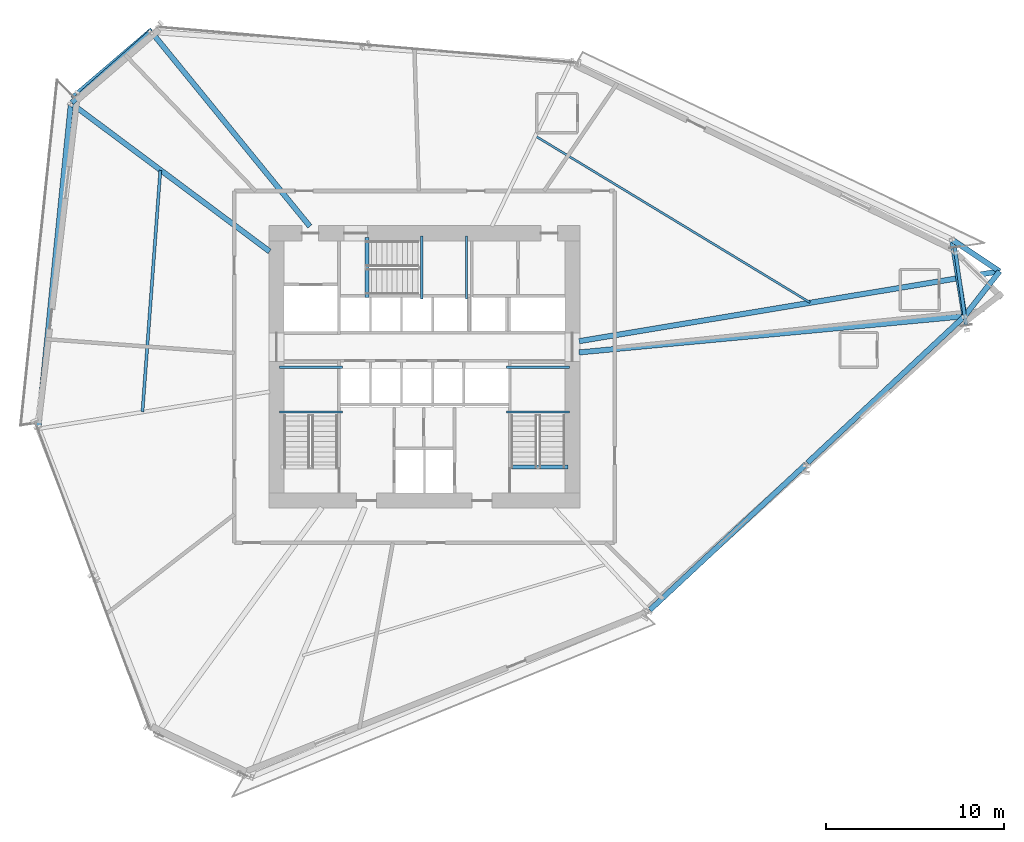
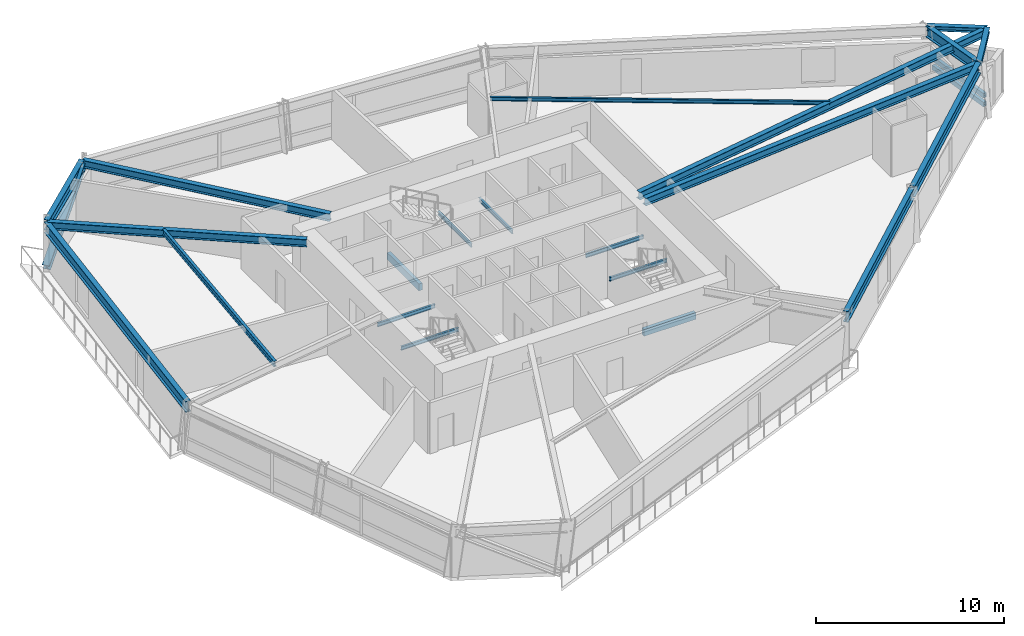
# One storey, part 7 of 21: 21 beams, 3 members.
"""IFC4 building model written with IfcOpenShell, lengths in metres."""

from ifc_helpers import new_model, si_unit, direction, frame, origin, origin_2d, place, context, subcontext, project, spatial, rectangle, hollow_rectangle, i_section, extrude, source, transform, mapped, material, material_profile, profile_set, type_object, element, save


model = new_model("IFC4")

# Units and contexts
model_context = context("Model", 3, precision=1e-05, world=origin(), true_north=direction((0.0, 1.0)))
body_context = subcontext(model_context, "Body", "Model", "MODEL_VIEW")
ifc_project = project(units=[si_unit("LENGTHUNIT", "METRE"), si_unit("AREAUNIT", "SQUARE_METRE"), si_unit("VOLUMEUNIT", "CUBIC_METRE"), si_unit("PLANEANGLEUNIT", "RADIAN"), si_unit("MASSUNIT", "GRAM", prefix="KILO")], contexts=[model_context])

# Site, building, storey
site_placement = place(None, origin())
site = spatial("IfcSite", under=ifc_project, at=site_placement, CompositionType="ELEMENT")
building_placement = place(site_placement, origin())
building = spatial("IfcBuilding", under=site, at=building_placement, Name="Olszyna Solenne Hotel", CompositionType="ELEMENT")
storey_placement = place(building_placement, frame((0.0, 0.0, 68.35009765625)))
storey = spatial("IfcBuildingStorey", under=building, at=storey_placement, Name="L17", CompositionType="ELEMENT", Elevation=68.35009765625)

# Beams
ifc_material_1 = material(Name="Steel S355J2", Category="steel")
ifc_material_profile_1 = material_profile(ifc_material_1, i_section(OverallWidth=0.300048828125, OverallDepth=0.699951171875, WebThickness=0.01708984375, FlangeThickness=0.031982421875, at=origin_2d()), Name="HEB 700", Category="load-bearing")
ifc_profile_set_1 = profile_set([ifc_material_profile_1], Name="Steel S355J2")
beam_type_1 = type_object("IfcBeamType", Name="BM-S1", PredefinedType="BEAM", material=ifc_profile_set_1)
shared_shape_1 = source(origin(), body_context, "Body", "SweptSolid", [
    extrude(i_section(OverallWidth=0.300048828125, OverallDepth=0.699951171875, WebThickness=0.01708984375, FlangeThickness=0.031982421875, at=origin_2d()), origin(), (0.0, 0.0, 1.0), 4.243408203125),
])
beam_1_placement = place(storey_placement, frame((68.381103515625, 29.51416015625, 2.949951171875), z_axis=(-0.159022607152, 0.987274941652, 0.0), x_axis=(-0.987274941652, -0.159022607152, 0.0)))
element("IfcBeam", 1, at=beam_1_placement, inside=storey, type_object=beam_type_1, Name="Perimeter spandrel beam BM-S1 B-L17-0524", PredefinedType="BEAM", context=body_context, shape_type="MappedRepresentation", body=[
    mapped(shared_shape_1, transform((0.0, 0.0, 0.0), x_axis=(1.0, 0.0, 0.0), y_axis=(0.0, 1.0, 0.0), z_axis=(0.0, 0.0, 1.0), scale=1.0)),
])
shared_shape_2 = source(origin(), body_context, "Body", "SweptSolid", [
    extrude(i_section(OverallWidth=0.300048828125, OverallDepth=0.699951171875, WebThickness=0.01708984375, FlangeThickness=0.031982421875, at=origin_2d()), origin(), (0.0, 0.0, 1.0), 5.927490234375),
])
beam_2_placement = place(storey_placement, frame((22.5869140625, 45.41650390625, 2.949951171875), z_axis=(-0.74777279964, -0.663954697339, 0.0), x_axis=(0.663954697339, -0.74777279964, 0.0)))
element("IfcBeam", 2, at=beam_2_placement, inside=storey, type_object=beam_type_1, Name="Perimeter spandrel beam BM-S1 B-L17-0528", PredefinedType="BEAM", context=body_context, shape_type="MappedRepresentation", body=[
    mapped(shared_shape_2, transform((0.0, 0.0, 0.0), x_axis=(1.0, 0.0, 0.0), y_axis=(0.0, 1.0, 0.0), z_axis=(0.0, 0.0, 1.0), scale=1.0)),
])
shared_shape_3 = source(origin(), body_context, "Body", "SweptSolid", [
    extrude(i_section(OverallWidth=0.300048828125, OverallDepth=0.699951171875, WebThickness=0.01708984375, FlangeThickness=0.031982421875, at=origin_2d()), origin(), (0.0, 0.0, 1.0), 18.292724609375),
])
beam_3_placement = place(storey_placement, frame((18.103759765625, 41.381591796875, 2.949951171875), z_axis=(-0.099991313586, -0.994988310086, 0.0), x_axis=(0.994988310086, -0.099991313586, 0.0)))
element("IfcBeam", 3, at=beam_3_placement, inside=storey, type_object=beam_type_1, Name="Perimeter spandrel beam BM-S1 B-L17-0529", PredefinedType="BEAM", context=body_context, shape_type="MappedRepresentation", body=[
    mapped(shared_shape_3, transform((0.0, 0.0, 0.0), x_axis=(1.0, 0.0, 0.0), y_axis=(0.0, 1.0, 0.0), z_axis=(0.0, 0.0, 1.0), scale=1.0)),
])
shared_shape_4 = source(origin(), body_context, "Body", "SweptSolid", [
    extrude(i_section(OverallWidth=0.300048828125, OverallDepth=0.699951171875, WebThickness=0.01708984375, FlangeThickness=0.031982421875, at=origin_2d()), origin(), (0.0, 0.0, 1.0), 12.02197265625),
])
for number, where, z_axis, x_axis, name in (
    (4, (50.68505859375, 12.922607421875, 2.949951171875), (0.730899250241, 0.6824853742, 0.0), (-0.6824853742, 0.730899250241, 0.0), "Perimeter spandrel beam BM-S1 B-L17-0534"),
    (5, (59.559814453125, 21.209228515625, 2.949951171875), (0.730899250241, 0.6824853742, 0.0), (-0.6824853742, 0.730899250241, 0.0), "Perimeter spandrel beam BM-S1 B-L17-0535"),
):
    element("IfcBeam", number, at=place(storey_placement, frame(where, z_axis=z_axis, x_axis=x_axis)), inside=storey, type_object=beam_type_1, Name=name, PredefinedType="BEAM", context=body_context, shape_type="MappedRepresentation", body=[
        mapped(shared_shape_4, transform((0.0, 0.0, 0.0), x_axis=(1.0, 0.0, 0.0), y_axis=(0.0, 1.0, 0.0), z_axis=(0.0, 0.0, 1.0), scale=1.0)),
    ])
ifc_material_profile_2 = material_profile(ifc_material_1, i_section(OverallWidth=0.300048828125, OverallDepth=0.489990234375, WebThickness=0.011962890625, FlangeThickness=0.02294921875, at=origin_2d()), Name="HEA 500", Category="load-bearing")
ifc_profile_set_2 = profile_set([ifc_material_profile_2], Name="Steel S355J2")
beam_type_2 = type_object("IfcBeamType", Name="BM-G1", PredefinedType="BEAM", material=ifc_profile_set_2)
shared_shape_5 = source(origin(), body_context, "Body", "SweptSolid", [
    extrude(i_section(OverallWidth=0.300048828125, OverallDepth=0.489990234375, WebThickness=0.011962890625, FlangeThickness=0.02294921875, at=origin_2d()), origin(), (0.0, 0.0, 1.0), 21.72607421875),
])
beam_4_placement = place(storey_placement, frame((68.3310546875, 29.449462890625, 3.054931640625), z_axis=(-0.995615669946, -0.093538429307, 0.0), x_axis=(0.093538429307, -0.995615669946, 0.0)))
element("IfcBeam", 6, at=beam_4_placement, inside=storey, type_object=beam_type_2, Name="Radial floor girder BM-G1 B-L17-0536", PredefinedType="BEAM", context=body_context, shape_type="MappedRepresentation", body=[
    mapped(shared_shape_5, transform((0.0, 0.0, 0.0), x_axis=(1.0, 0.0, 0.0), y_axis=(0.0, 1.0, 0.0), z_axis=(0.0, 0.0, 1.0), scale=1.0)),
])
shared_shape_6 = source(origin(), body_context, "Body", "SweptSolid", [
    extrude(i_section(OverallWidth=0.300048828125, OverallDepth=0.489990234375, WebThickness=0.011962890625, FlangeThickness=0.02294921875, at=origin_2d()), origin(), (0.0, 0.0, 1.0), 23.967529296875),
])
beam_5_placement = place(storey_placement, frame((70.343994140625, 31.9794921875, 3.054931640625), z_axis=(-0.986472273564, -0.163928196137, 0.0), x_axis=(0.163928196137, -0.986472273564, 0.0)))
element("IfcBeam", 7, at=beam_5_placement, inside=storey, type_object=beam_type_2, Name="Radial floor girder BM-G1 B-L17-0537", PredefinedType="BEAM", context=body_context, shape_type="MappedRepresentation", body=[
    mapped(shared_shape_6, transform((0.0, 0.0, 0.0), x_axis=(1.0, 0.0, 0.0), y_axis=(0.0, 1.0, 0.0), z_axis=(0.0, 0.0, 1.0), scale=1.0)),
])
shared_shape_7 = source(origin(), body_context, "Body", "SweptSolid", [
    extrude(i_section(OverallWidth=0.300048828125, OverallDepth=0.489990234375, WebThickness=0.011962890625, FlangeThickness=0.02294921875, at=origin_2d()), origin(), (0.0, 0.0, 1.0), 14.059814453125),
])
beam_6_placement = place(storey_placement, frame((22.669677734375, 45.409912109375, 3.054931640625), z_axis=(0.631765322463, -0.775159710856, 0.0), x_axis=(0.775159710856, 0.631765322463, 0.0)))
element("IfcBeam", 8, at=beam_6_placement, inside=storey, type_object=beam_type_2, Name="Radial floor girder BM-G1 B-L17-0539", PredefinedType="BEAM", context=body_context, shape_type="MappedRepresentation", body=[
    mapped(shared_shape_7, transform((0.0, 0.0, 0.0), x_axis=(1.0, 0.0, 0.0), y_axis=(0.0, 1.0, 0.0), z_axis=(0.0, 0.0, 1.0), scale=1.0)),
])
shared_shape_8 = source(origin(), body_context, "Body", "SweptSolid", [
    extrude(i_section(OverallWidth=0.300048828125, OverallDepth=0.489990234375, WebThickness=0.011962890625, FlangeThickness=0.02294921875, at=origin_2d()), origin(), (0.0, 0.0, 1.0), 13.8896484375),
])
beam_7_placement = place(storey_placement, frame((18.15771484375, 41.4052734375, 3.054931640625), z_axis=(0.801478254507, -0.59802391888, 0.0), x_axis=(0.59802391888, 0.801478254507, 0.0)))
element("IfcBeam", 9, at=beam_7_placement, inside=storey, type_object=beam_type_2, Name="Radial floor girder BM-G1 B-L17-0540", PredefinedType="BEAM", context=body_context, shape_type="MappedRepresentation", body=[
    mapped(shared_shape_8, transform((0.0, 0.0, 0.0), x_axis=(1.0, 0.0, 0.0), y_axis=(0.0, 1.0, 0.0), z_axis=(0.0, 0.0, 1.0), scale=1.0)),
])
ifc_material_profile_3 = material_profile(ifc_material_1, i_section(OverallWidth=0.300048828125, OverallDepth=0.31005859375, WebThickness=0.009033203125, FlangeThickness=0.015380859375, at=origin_2d()), Name="HEA 320", Category="load-bearing")
ifc_profile_set_3 = profile_set([ifc_material_profile_3], Name="Steel S355J2")
beam_type_3 = type_object("IfcBeamType", Name="BM-G3", PredefinedType="BEAM", material=ifc_profile_set_3)
shared_shape_9 = source(origin(), body_context, "Body", "SweptSolid", [
    extrude(i_section(OverallWidth=0.300048828125, OverallDepth=0.31005859375, WebThickness=0.009033203125, FlangeThickness=0.015380859375, at=origin_2d()), origin(), (0.0, 0.0, 1.0), 3.20654296875),
])
for number, where, z_axis, x_axis, name in (
    (10, (68.390625, 29.455078125, 3.14501953125), (0.615347018641, 0.788256333085, 0.0), (-0.788256333085, 0.615347018641, 0.0), "Prism side edge beam BM-G3 B-L17-0545"),
    (11, (67.69677734375, 33.7626953125, 3.14501953125), (0.831757330832, -0.55513939025, 0.0), (0.55513939025, 0.831757330832, 0.0), "Prism side edge beam BM-G3 B-L17-0546"),
):
    element("IfcBeam", number, at=place(storey_placement, frame(where, z_axis=z_axis, x_axis=x_axis)), inside=storey, type_object=beam_type_3, Name=name, PredefinedType="BEAM", context=body_context, shape_type="MappedRepresentation", body=[
        mapped(shared_shape_9, transform((0.0, 0.0, 0.0), x_axis=(1.0, 0.0, 0.0), y_axis=(0.0, 1.0, 0.0), z_axis=(0.0, 0.0, 1.0), scale=1.0)),
    ])
ifc_material_profile_4 = material_profile(ifc_material_1, i_section(OverallWidth=0.1201171875, OverallDepth=0.239990234375, WebThickness=0.006103515625, FlangeThickness=0.009765625, at=origin_2d()), Name="IPE 240", Category="load-bearing")
ifc_profile_set_4 = profile_set([ifc_material_profile_4], Name="Steel S355J2")
beam_type_4 = type_object("IfcBeamType", Name="JS-03", PredefinedType="JOIST", material=ifc_profile_set_4)
shared_shape_10 = source(origin(), body_context, "Body", "SweptSolid", [
    extrude(i_section(OverallWidth=0.1201171875, OverallDepth=0.239990234375, WebThickness=0.006103515625, FlangeThickness=0.009765625, at=origin_2d()), origin(), (0.0, 0.0, 1.0), 18.0576171875),
])
beam_8_placement = place(storey_placement, frame((59.6982421875, 30.2236328125, 3.179931640625), z_axis=(-0.855007639867, 0.518615402556, 0.0), x_axis=(-0.518615402556, -0.855007639867, 0.0)))
element("IfcBeam", 12, at=beam_8_placement, inside=storey, type_object=beam_type_4, Name="Secondary composite floor joist JS-03 B-L17-0547", PredefinedType="JOIST", context=body_context, shape_type="MappedRepresentation", body=[
    mapped(shared_shape_10, transform((0.0, 0.0, 0.0), x_axis=(1.0, 0.0, 0.0), y_axis=(0.0, 1.0, 0.0), z_axis=(0.0, 0.0, 1.0), scale=1.0)),
])
ifc_material_profile_5 = material_profile(ifc_material_1, i_section(OverallWidth=0.169921875, OverallDepth=0.360107421875, WebThickness=0.008056640625, FlangeThickness=0.0126953125, at=origin_2d()), Name="IPE 360", Category="load-bearing")
ifc_profile_set_5 = profile_set([ifc_material_profile_5], Name="Steel S355J2")
beam_type_5 = type_object("IfcBeamType", Name="JS-01", PredefinedType="JOIST", material=ifc_profile_set_5)
shared_shape_11 = source(origin(), body_context, "Body", "SweptSolid", [
    extrude(i_section(OverallWidth=0.169921875, OverallDepth=0.360107421875, WebThickness=0.008056640625, FlangeThickness=0.0126953125, at=origin_2d()), origin(), (0.0, 0.0, 1.0), 13.624755859375),
])
beam_9_placement = place(storey_placement, frame((23.139404296875, 37.667236328125, 3.119873046875), z_axis=(-0.073789840351, -0.997273813685, 0.0), x_axis=(0.997273813685, -0.073789840351, 0.0)))
element("IfcBeam", 13, at=beam_9_placement, inside=storey, type_object=beam_type_5, Name="Secondary composite floor joist JS-01 B-L17-0548", PredefinedType="JOIST", context=body_context, shape_type="MappedRepresentation", body=[
    mapped(shared_shape_11, transform((0.0, 0.0, 0.0), x_axis=(1.0, 0.0, 0.0), y_axis=(0.0, 1.0, 0.0), z_axis=(0.0, 0.0, 1.0), scale=1.0)),
])

# Members
ifc_material_profile_6 = material_profile(ifc_material_1, hollow_rectangle(XDim=0.199951171875, YDim=0.300048828125, WallThickness=0.01611328125, at=origin_2d()), Name="RHS 300x200x16", Category="load-bearing")
ifc_profile_set_6 = profile_set([ifc_material_profile_6], Name="Steel S355J2")
member_type_1 = type_object("IfcMemberType", Name="CH-PR1", PredefinedType="CHORD", material=ifc_profile_set_6)
shared_shape_12 = source(origin(), body_context, "Body", "SweptSolid", [
    extrude(hollow_rectangle(XDim=0.199951171875, YDim=0.300048828125, WallThickness=0.01611328125, at=origin_2d()), origin(), (0.0, 0.0, 1.0), 4.40185546875),
])
for number, where, z_axis, x_axis, name in (
    (14, (68.478271484375, 28.965087890625, 1.349853515625), (-0.143486544708, 0.989652267965, 0.0), (-0.989652267965, -0.143486544708, 0.0), "Glass-prism tie chord CH-PR1 M-L17-PR1"),
    (15, (68.478271484375, 28.965087890625, 0.77978515625), (-0.143486544708, 0.989652267965, 0.0), (-0.989652267965, -0.143486544708, 0.0), "Glass-prism tie chord CH-PR1 M-L17-PR2"),
):
    element("IfcMember", number, at=place(storey_placement, frame(where, z_axis=z_axis, x_axis=x_axis)), inside=storey, type_object=member_type_1, Name=name, PredefinedType="CHORD", context=body_context, shape_type="MappedRepresentation", body=[
        mapped(shared_shape_12, transform((0.0, 0.0, 0.0), x_axis=(1.0, 0.0, 0.0), y_axis=(0.0, 1.0, 0.0), z_axis=(0.0, 0.0, 1.0), scale=1.0)),
    ])
ifc_material_2 = material(Name="Steel S460M", Category="steel")
ifc_material_profile_7 = material_profile(ifc_material_2, i_section(OverallWidth=0.412109375, OverallDepth=0.43505859375, WebThickness=0.031494140625, FlangeThickness=0.050048828125, at=origin_2d()), Name="HD 400x463", Category="load-bearing")
ifc_profile_set_7 = profile_set([ifc_material_profile_7], Name="Steel S460M")
member_type_2 = type_object("IfcMemberType", Name="BR-T1", PredefinedType="BRACE", material=ifc_profile_set_7)
shared_shape_13 = source(origin(), body_context, "Body", "SweptSolid", [
    extrude(i_section(OverallWidth=0.412109375, OverallDepth=0.43505859375, WebThickness=0.031494140625, FlangeThickness=0.050048828125, at=origin_2d()), origin(), (0.0, 0.0, 1.0), 6.39453125),
])
member_placement = place(storey_placement, frame((18.300537109375, 41.755615234375, 0.010009765625), z_axis=(0.67729908534, 0.578720379683, 0.454256173471), x_axis=(-0.649611796017, 0.760266081366, 0.0)))
element("IfcMember", 16, at=member_placement, inside=storey, type_object=member_type_2, Name="Perimeter braced-tube diagonal BR-T1 BR-L17-2", PredefinedType="BRACE", context=body_context, shape_type="MappedRepresentation", body=[
    mapped(shared_shape_13, transform((0.0, 0.0, 0.0), x_axis=(1.0, 0.0, 0.0), y_axis=(0.0, 1.0, 0.0), z_axis=(0.0, 0.0, 1.0), scale=1.0)),
])

# Beams
shared_shape_14 = source(origin(), body_context, "Body", "SweptSolid", [
    extrude(i_section(OverallWidth=0.1201171875, OverallDepth=0.239990234375, WebThickness=0.006103515625, FlangeThickness=0.009765625, at=origin_2d()), origin(), (0.0, 0.0, 1.0), 3.539794921875),
])
for number, where, z_axis, x_axis, name in (
    (17, (33.3798828125, 24.070068359375, 1.449951171875), (-1.0, 0.0, 0.0), (0.0, -1.0, 0.0), "Stair landing support beam JS-03 SLB-ST1-0039"),
    (18, (33.3798828125, 26.580078125, 1.449951171875), (-1.0, 0.0, 0.0), (0.0, -1.0, 0.0), "Stair landing support beam JS-03 SLB-ST1-0040"),
    (19, (46.159912109375, 24.070068359375, 1.449951171875), (-1.0, 0.0, 0.0), (0.0, -1.0, 0.0), "Stair landing support beam JS-03 SLB-ST2-0279"),
    (20, (46.159912109375, 26.580078125, 1.449951171875), (-1.0, 0.0, 0.0), (0.0, -1.0, 0.0), "Stair landing support beam JS-03 SLB-ST2-0280"),
):
    element("IfcBeam", number, at=place(storey_placement, frame(where, z_axis=z_axis, x_axis=x_axis)), inside=storey, type_object=beam_type_4, Name=name, PredefinedType="JOIST", context=body_context, shape_type="MappedRepresentation", body=[
        mapped(shared_shape_14, transform((0.0, 0.0, 0.0), x_axis=(1.0, 0.0, 0.0), y_axis=(0.0, 1.0, 0.0), z_axis=(0.0, 0.0, 1.0), scale=1.0)),
    ])
ifc_material_3 = material(Name="Concrete C50/60", Category="concrete")
ifc_material_profile_8 = material_profile(ifc_material_3, rectangle(XDim=0.219970703125, YDim=0.43994140625, at=origin_2d()), Name="RC 220x440", Category="load-bearing")
ifc_profile_set_8 = profile_set([ifc_material_profile_8], Name="Concrete C50/60")
beam_type_6 = type_object("IfcBeamType", Name="BM-ST1", PredefinedType="BEAM", material=ifc_profile_set_8)
shared_shape_15 = source(origin(), body_context, "Body", "SweptSolid", [
    extrude(rectangle(XDim=0.219970703125, YDim=0.43994140625, at=origin_2d()), origin(), (0.0, 0.0, 1.0), 3.18017578125),
])
beam_10_placement = place(storey_placement, frame((46.080078125, 20.97998046875, -0.205078125), z_axis=(-1.0, 0.0, 0.0), x_axis=(0.0, -1.0, 0.0)))
element("IfcBeam", 21, at=beam_10_placement, inside=storey, type_object=beam_type_6, Name="Concrete stair trimmer beam BM-ST1 SHB-ST2-0419", PredefinedType="BEAM", context=body_context, shape_type="MappedRepresentation", body=[
    mapped(shared_shape_15, transform((0.0, 0.0, 0.0), x_axis=(1.0, 0.0, 0.0), y_axis=(0.0, 1.0, 0.0), z_axis=(0.0, 0.0, 1.0), scale=1.0)),
])
shared_shape_16 = source(origin(), body_context, "Body", "SweptSolid", [
    extrude(i_section(OverallWidth=0.1201171875, OverallDepth=0.239990234375, WebThickness=0.006103515625, FlangeThickness=0.009765625, at=origin_2d()), origin(), (0.0, 0.0, 1.0), 3.5400390625),
])
for number, where, z_axis, x_axis, name in (
    (22, (37.85009765625, 30.419921875, 1.449951171875), (0.0, 1.0, 0.0), (-1.0, 0.0, 0.0), "Stair landing support beam JS-03 SLB-ST3-0519"),
    (23, (40.360107421875, 30.419921875, 1.449951171875), (0.0, 1.0, 0.0), (-1.0, 0.0, 0.0), "Stair landing support beam JS-03 SLB-ST3-0520"),
):
    element("IfcBeam", number, at=place(storey_placement, frame(where, z_axis=z_axis, x_axis=x_axis)), inside=storey, type_object=beam_type_4, Name=name, PredefinedType="JOIST", context=body_context, shape_type="MappedRepresentation", body=[
        mapped(shared_shape_16, transform((0.0, 0.0, 0.0), x_axis=(1.0, 0.0, 0.0), y_axis=(0.0, 1.0, 0.0), z_axis=(0.0, 0.0, 1.0), scale=1.0)),
    ])
shared_shape_17 = source(origin(), body_context, "Body", "SweptSolid", [
    extrude(rectangle(XDim=0.219970703125, YDim=0.43994140625, at=origin_2d()), origin(), (0.0, 0.0, 1.0), 3.3798828125),
])
beam_11_placement = place(storey_placement, frame((34.760009765625, 30.5, -0.205078125), z_axis=(0.0, 1.0, 0.0), x_axis=(-1.0, 0.0, 0.0)))
element("IfcBeam", 24, at=beam_11_placement, inside=storey, type_object=beam_type_6, Name="Concrete stair trimmer beam BM-ST1 SHB-ST3-0657", PredefinedType="BEAM", context=body_context, shape_type="MappedRepresentation", body=[
    mapped(shared_shape_17, transform((0.0, 0.0, 0.0), x_axis=(1.0, 0.0, 0.0), y_axis=(0.0, 1.0, 0.0), z_axis=(0.0, 0.0, 1.0), scale=1.0)),
])

save(model, "model.ifc")
